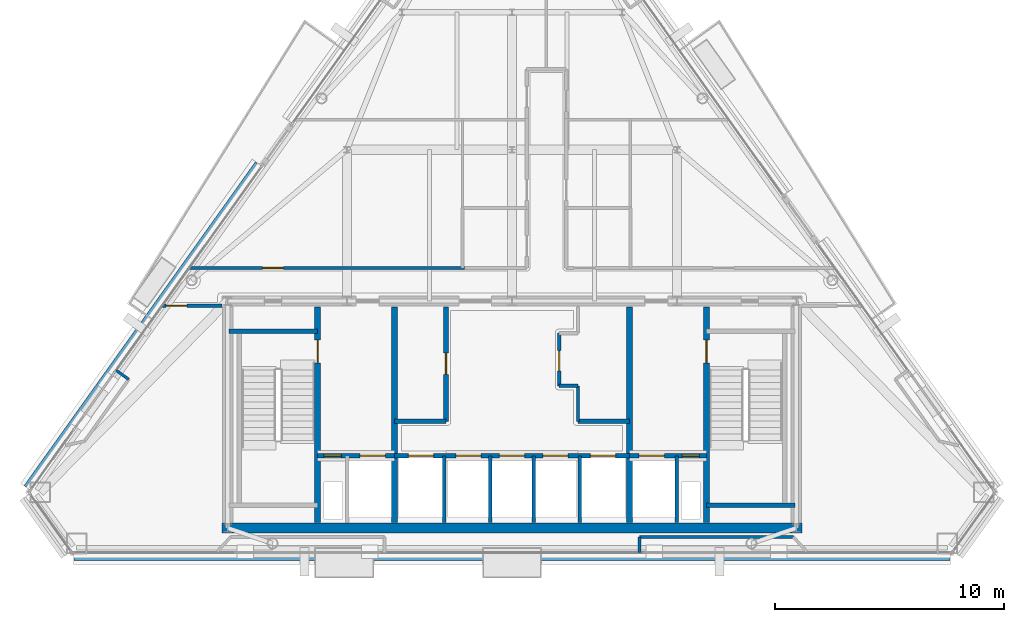
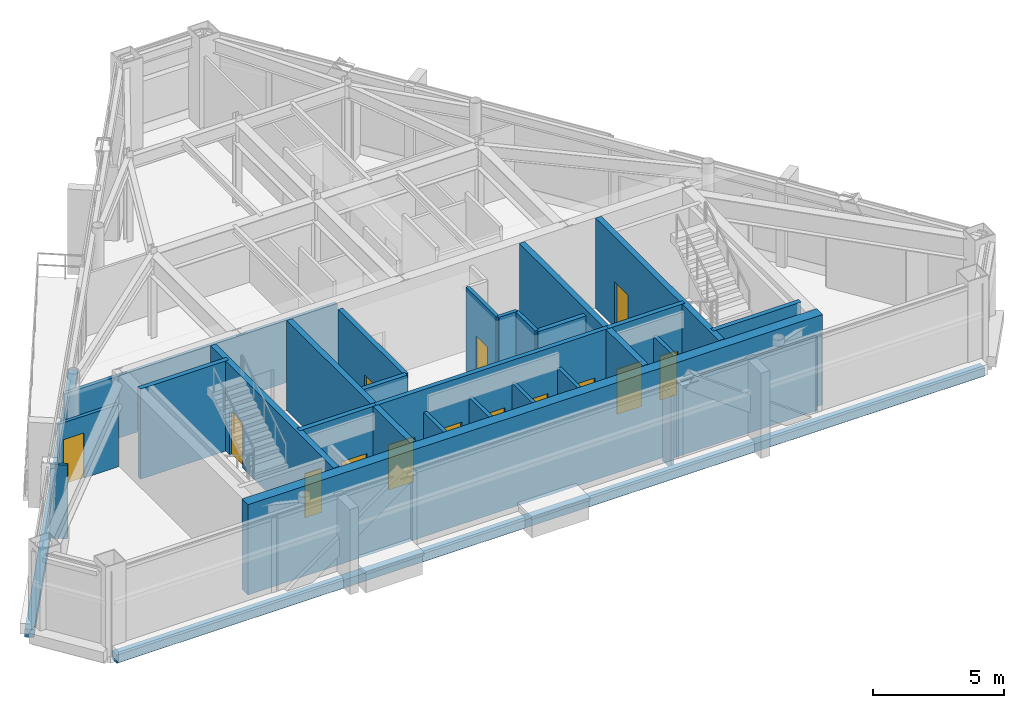
# One storey, part 8 of 12: 28 walls, 15 doors, 15 openings.
"""IFC4 building model written with IfcOpenShell, lengths in metres."""

import ifcopenshell
import ifcopenshell.guid

model = None  # the IFC model being written
_history = None  # IfcOwnerHistory: only IFC2X3 demands one
_inside = {}  # id of a spatial element -> (the spatial element, [elements in it])
_under = {}  # id of a project, library or spatial element -> (it, [spatial elements below it])
_declared = {}  # id of a project -> (the project, [libraries it declares])
_typed = {}  # id of a type object -> (the type object, [elements of that type])
_made_of = {}  # id of a material, layer set ... -> (it, [elements and type objects made of it])


def new_model(schema):
    """Start an empty IFC model of exactly this schema.

    Asked for "IFC4X3", IfcOpenShell would pick the latest addendum, in which some entities
    have other attributes; the version numbers below select the first issue.
    IFC2X3 requires an IfcOwnerHistory on every rooted entity: one is made here for all.
    """
    global model, _history
    if schema == "IFC4X3":
        model = ifcopenshell.file(schema_version=(4, 3, 0, 0))
    else:
        model = ifcopenshell.file(schema=schema)
    _inside.clear()
    _under.clear()
    _declared.clear()
    _typed.clear()
    _made_of.clear()
    _history = None
    if model.schema == "IFC2X3":
        org = make("IfcOrganization", Name="unknown")
        user = make(
            "IfcPersonAndOrganization",
            ThePerson=make("IfcPerson", FamilyName="unknown"),
            TheOrganization=org,
        )
        app = make(
            "IfcApplication",
            ApplicationDeveloper=org,
            Version="unknown",
            ApplicationFullName="unknown",
            ApplicationIdentifier="unknown",
        )
        _history = make(
            "IfcOwnerHistory",
            OwningUser=user,
            OwningApplication=app,
            ChangeAction="ADDED",
            CreationDate=0,
        )
    return model


def make(cls, **values):
    """One entity of the class cls with the attributes given. An attribute that is None is left unset."""
    return model.create_entity(
        cls, **{name: value for name, value in values.items() if value is not None}
    )


def rooted(cls, **values):
    """An entity with a GlobalId (a new one), such as an element, a storey or a relation."""
    return make(cls, GlobalId=ifcopenshell.guid.new(), OwnerHistory=_history, **values)


def si_unit(unit_type, name, prefix=None):
    """IfcSIUnit, for example si_unit("LENGTHUNIT", "METRE", prefix="MILLI")."""
    return make("IfcSIUnit", UnitType=unit_type, Prefix=prefix, Name=name)


def assignment(units):
    """IfcUnitAssignment: the units of a project."""
    return None if units is None else make("IfcUnitAssignment", Units=units)


def point(xyz):
    """IfcCartesianPoint."""
    return None if xyz is None else make("IfcCartesianPoint", Coordinates=xyz)


def direction(xyz):
    """IfcDirection."""
    return None if xyz is None else make("IfcDirection", DirectionRatios=xyz)


def frame(location, z_axis=None, x_axis=None):
    """IfcAxis2Placement3D, a coordinate frame: its origin and axes. An axis left out is left unset."""
    return make(
        "IfcAxis2Placement3D",
        Location=point(location),
        Axis=direction(z_axis),
        RefDirection=direction(x_axis),
    )


def frame_2d(location, x_axis=None):
    """IfcAxis2Placement2D, a coordinate frame in the plane: its origin and x axis."""
    return make(
        "IfcAxis2Placement2D", Location=point(location), RefDirection=direction(x_axis)
    )


def origin():
    """The frame at (0, 0, 0) with its axes left unset."""
    return frame((0.0, 0.0, 0.0))


def place(relative_to, where):
    """IfcLocalPlacement: puts the frame where relative to a parent placement (None: the world)."""
    return make(
        "IfcLocalPlacement", PlacementRelTo=relative_to, RelativePlacement=where
    )


def context(
    kind, dimensions, precision=None, world=None, true_north=None, identifier=None
):
    """IfcGeometricRepresentationContext, for example the 3D "Model" context."""
    return make(
        "IfcGeometricRepresentationContext",
        ContextIdentifier=identifier,
        ContextType=kind,
        CoordinateSpaceDimension=dimensions,
        Precision=precision,
        WorldCoordinateSystem=world,
        TrueNorth=true_north,
    )


def subcontext(parent, identifier, kind, view, scale=None):
    """IfcGeometricRepresentationSubContext, for example "Body" below "Model"."""
    return make(
        "IfcGeometricRepresentationSubContext",
        ContextIdentifier=identifier,
        ContextType=kind,
        ParentContext=parent,
        TargetScale=scale,
        TargetView=view,
    )


def project(units=None, contexts=None):
    """IfcProject with its units and contexts."""
    return rooted(
        "IfcProject",
        Name="project",
        RepresentationContexts=contexts,
        UnitsInContext=assignment(units),
    )


def spatial(cls, under=None, at=None, **own):
    """A site, building, storey or space (cls), placed at a placement, below another one or the project."""
    s = rooted(cls, ObjectPlacement=at, **own)
    if under is not None:
        _under.setdefault(under.id(), (under, []))[1].append(s)
    return s


def profile(cls, at=None, kind="AREA", **sizes):
    """A parametric profile (cls). Its sizes go by their IFC names, for example OverallWidth=200.0."""
    return make(cls, ProfileType=kind, Position=at, **sizes)


def rectangle(**sizes):
    """IfcRectangleProfileDef."""
    return profile("IfcRectangleProfileDef", **sizes)


def extrude(swept, where, along, depth):
    """IfcExtrudedAreaSolid: the profile swept, set in the frame where, extruded along a direction by depth."""
    return make(
        "IfcExtrudedAreaSolid",
        SweptArea=swept,
        Position=where,
        ExtrudedDirection=direction(along),
        Depth=depth,
    )


def shape(context_of_items, identifier, shape_type, items):
    """IfcShapeRepresentation: the items that make up one representation, for example the "Body"."""
    return make(
        "IfcShapeRepresentation",
        ContextOfItems=context_of_items,
        RepresentationIdentifier=identifier,
        RepresentationType=shape_type,
        Items=items,
    )


def material(Name=None, Category=None):
    """IfcMaterial."""
    return make("IfcMaterial", Name=Name, Category=Category)


def layer(
    of_material, thickness, ventilated=None, Name=None, Category=None, Priority=None
):
    """IfcMaterialLayer: one layer of a wall or slab, of a material (None: an air gap)."""
    return make(
        "IfcMaterialLayer",
        Material=of_material,
        LayerThickness=thickness,
        IsVentilated=ventilated,
        Name=Name,
        Category=Category,
        Priority=Priority,
    )


def layer_set(layers, Name=None):
    """IfcMaterialLayerSet."""
    return make("IfcMaterialLayerSet", MaterialLayers=layers, LayerSetName=Name)


def made_of(thing, what):
    """Note that an element or type object is made of a material, layer set ...; save() writes the relation."""
    if what is not None:
        _made_of.setdefault(what.id(), (what, []))[1].append(thing)
    return thing


def type_object(cls, material=None, **own):
    """A type object (cls), such as IfcWallType, which elements share."""
    return made_of(rooted(cls, **own), material)


def element(
    cls,
    number,
    at=None,
    inside=None,
    cuts=None,
    type_object=None,
    material=None,
    context=None,
    identifier="Body",
    shape_type=None,
    held_by="IfcProductDefinitionShape",
    body=None,
    shapes=None,
    **own,
):
    """One element of the class cls, such as IfcWall. Its Tag is "e" and its number.

    at: its placement. inside: the storey or other place that contains it. cuts: it is an
    opening in that element (IfcRelVoidsElement). A single representation is given by context,
    identifier, shape_type and body (its items); several are given by shapes. held_by: the class
    of the entity that holds the representations. save() writes the other relations.
    """
    e = rooted(cls, Tag="e%d" % number, ObjectPlacement=at, **own)
    if body is not None:
        shapes = [shape(context, identifier, shape_type, body)]
    if shapes is not None:
        e.Representation = make(held_by, Representations=shapes)
    if inside is not None:
        _inside.setdefault(inside.id(), (inside, []))[1].append(e)
    if cuts is not None:
        rooted(
            "IfcRelVoidsElement", RelatingBuildingElement=cuts, RelatedOpeningElement=e
        )
    if type_object is not None:
        _typed.setdefault(type_object.id(), (type_object, []))[1].append(e)
    return made_of(e, material)


def fill(opening, filler):
    """IfcRelFillsElement: the door or window that sits in an opening."""
    return rooted(
        "IfcRelFillsElement",
        RelatingOpeningElement=opening,
        RelatedBuildingElement=filler,
    )


def aggregate(whole, parts):
    """IfcRelAggregates: a whole, such as a stair, and the parts it consists of."""
    return rooted("IfcRelAggregates", RelatingObject=whole, RelatedObjects=parts)


def save(model, path):
    """Write the relations noted so far, then the file.

    IfcRelAggregates (storeys below a building ...), IfcRelContainedInSpatialStructure (elements
    in a storey), IfcRelDefinesByType, IfcRelAssociatesMaterial and IfcRelDeclares: one each for
    every whole, place, type object, material and project.
    """
    for whole, parts in _under.values():
        aggregate(whole, parts)
    for where, things in _inside.values():
        rooted(
            "IfcRelContainedInSpatialStructure",
            RelatedElements=things,
            RelatingStructure=where,
        )
    for kind, things in _typed.values():
        rooted("IfcRelDefinesByType", RelatedObjects=things, RelatingType=kind)
    for what, things in _made_of.values():
        rooted("IfcRelAssociatesMaterial", RelatedObjects=things, RelatingMaterial=what)
    for by, libraries in _declared.values():
        rooted("IfcRelDeclares", RelatingContext=by, RelatedDefinitions=libraries)
    model.write(path)


model = new_model("IFC4")

# Units and contexts
model_context = context("Model", 3, precision=1e-05, world=origin(), true_north=direction((0.0, 1.0)))
body_context = subcontext(model_context, "Body", "Model", "MODEL_VIEW")
ifc_project = project(units=[si_unit("LENGTHUNIT", "METRE"), si_unit("AREAUNIT", "SQUARE_METRE"), si_unit("VOLUMEUNIT", "CUBIC_METRE"), si_unit("PLANEANGLEUNIT", "RADIAN"), si_unit("MASSUNIT", "GRAM", prefix="KILO")], contexts=[model_context])

# Site, building, storey
site_placement = place(None, origin())
site = spatial("IfcSite", under=ifc_project, at=site_placement, CompositionType="ELEMENT")
building_placement = place(site_placement, origin())
building = spatial("IfcBuilding", under=site, at=building_placement, Name="Talgorran Terracotta Tower", CompositionType="ELEMENT")
storey_placement = place(building_placement, frame((0.0, 0.0, 285.0)))
storey = spatial("IfcBuildingStorey", under=building, at=storey_placement, Name="L75", CompositionType="ELEMENT", Elevation=285.0)

# Walls
ifc_material_1 = material(Name="Concrete C50/60", Category="concrete")
ifc_layer_1 = layer(ifc_material_1, 0.199951171875, Name="WT_CORE_200")
ifc_layer_set_1 = layer_set([ifc_layer_1], Name="Concrete C50/60")
wall_type_1 = type_object("IfcWallType", Name="WT_CORE_200", PredefinedType="SOLIDWALL", material=ifc_layer_set_1)
for number, where, z_axis, x_axis, name in (
    (1, (-12.35009765625, -5.52001953125, 0.0), (0.0, 0.0, 1.0), (1.0, 0.0, 0.0), "WL-L75-CW-ST1-N"),
    (2, (8.47998046875, -13.10009765625, 0.0), (0.0, 0.0, 1.0), (1.0, 0.0, 0.0), "WL-L75-CW-ST2-S"),
):
    element("IfcWall", number, at=place(storey_placement, frame(where, z_axis=z_axis, x_axis=x_axis)), inside=storey, type_object=wall_type_1, Name=name, PredefinedType="SOLIDWALL", context=body_context, shape_type="SweptSolid", body=[
        extrude(rectangle(XDim=3.8701171875, YDim=0.199951171875, at=frame_2d((1.93505859375, 0.0))), origin(), (0.0, 0.0, 1.0), 4.199951171875),
    ])

# Wall, openings, doors
wall_1_placement = place(storey_placement, frame((-8.47998046875, -10.949951171875, 0.0), z_axis=(0.0, 0.0, 1.0), x_axis=(1.0, 0.0, 0.0)))
wall_1 = element("IfcWall", 3, at=wall_1_placement, inside=storey, type_object=wall_type_1, Name="WL-L75-CW-H-SBW", PredefinedType="SOLIDWALL", context=body_context, shape_type="SweptSolid", body=[
    extrude(rectangle(XDim=3.35986328125, YDim=0.199951171875, at=frame_2d((1.679931640625, 0.0))), origin(), (0.0, 0.0, 1.0), 4.199951171875),
])
opening_1_placement = place(wall_1_placement, frame((0.280029296875, 0.0, 0.0)))
opening_1 = element("IfcOpeningElement", 4, at=opening_1_placement, cuts=wall_1, Name="Opening DR-RSW", PredefinedType="OPENING", context=body_context, shape_type="SweptSolid", body=[
    extrude(rectangle(XDim=0.756, YDim=2.054048828125, at=frame_2d((0.375, 1.027099609375))), frame((0.0, 0.10986328125, 0.0), z_axis=(0.0, -1.0, 0.0), x_axis=(1.0, 0.0, 0.0)), (0.0, 0.0, 1.0), 0.219970703125),
])
opening_2_placement = place(wall_1_placement, frame((1.85009765625, 0.0, 0.0)))
opening_2 = element("IfcOpeningElement", 5, at=opening_2_placement, cuts=wall_1, Name="Opening LD-FFL1", PredefinedType="OPENING", context=body_context, shape_type="SweptSolid", body=[
    extrude(rectangle(XDim=1.10609765625, YDim=2.10409765625, at=frame_2d((0.550048828125, 1.052001953125))), frame((0.0, 0.10986328125, 0.0), z_axis=(0.0, -1.0, 0.0), x_axis=(1.0, 0.0, 0.0)), (0.0, 0.0, 1.0), 0.219970703125),
])
ifc_material_2 = material(Name="Brushed Stainless Steel Grade 304", Category="steel")
door_type_1 = type_object("IfcDoorType", Name="DT_LIFT_LD1100", OperationType="DOUBLE_DOOR_SLIDING", PredefinedType="DOOR", material=ifc_material_2)
door_1_placement = place(opening_2_placement, origin())
door_1 = element("IfcDoor", 6, at=door_1_placement, inside=storey, type_object=door_type_1, Name="L75 Lift Landing Door LD-FFL1", OperationType="DOUBLE_DOOR_SLIDING", OverallHeight=2.10009765625, OverallWidth=1.10009765625, PredefinedType="DOOR", context=body_context, shape_type="SweptSolid", body=[
    extrude(rectangle(XDim=1.10009765625, YDim=2.10009765625, at=frame_2d((0.550048828125, 1.050048828125))), frame((0.0, 0.02490234375, 0.0), z_axis=(0.0, -1.0, 0.0), x_axis=(1.0, 0.0, 0.0)), (0.0, 0.0, 1.0), 0.050048828125),
])
fill(opening_2, door_1)
ifc_material_3 = material(Name="Fire-Rated Pressed Steel", Category="steel")
door_type_2 = type_object("IfcDoorType", Name="DT_RISER_750", OperationType="NOTDEFINED", PredefinedType="DOOR", material=ifc_material_3)
door_2_placement = place(opening_1_placement, origin())
door_2 = element("IfcDoor", 7, at=door_2_placement, inside=storey, type_object=door_type_2, Name="DR-RSW", OperationType="SINGLE_SWING_LEFT", OverallHeight=2.050048828125, OverallWidth=0.75, PredefinedType="DOOR", context=body_context, shape_type="SweptSolid", body=[
    extrude(rectangle(XDim=0.75, YDim=2.050048828125, at=frame_2d((0.375, 1.02490234375))), frame((0.0, 0.02490234375, 0.0), z_axis=(0.0, -1.0, 0.0), x_axis=(1.0, 0.0, 0.0)), (0.0, 0.0, 1.0), 0.050048828125),
])
fill(opening_1, door_2)

wall_2_placement = place(storey_placement, frame((-5.1201171875, -10.949951171875, 0.0), z_axis=(0.0, 0.0, 1.0), x_axis=(1.0, 0.0, 0.0)))
wall_2 = element("IfcWall", 8, at=wall_2_placement, inside=storey, type_object=wall_type_1, Name="WL-L75-CW-H-SBC", PredefinedType="SOLIDWALL", context=body_context, shape_type="SweptSolid", body=[
    extrude(rectangle(XDim=10.240234375, YDim=0.199951171875, at=frame_2d((5.1201171875, 0.0))), origin(), (0.0, 0.0, 1.0), 4.199951171875),
])
opening_3_placement = place(wall_2_placement, frame((0.60009765625, 0.0, 0.0)))
opening_3 = element("IfcOpeningElement", 9, at=opening_3_placement, cuts=wall_2, Name="Opening LD-OB1", PredefinedType="OPENING", context=body_context, shape_type="SweptSolid", body=[
    extrude(rectangle(XDim=1.10609765625, YDim=2.10409765625, at=frame_2d((0.550048828125, 1.052001953125))), frame((0.0, 0.10986328125, 0.0), z_axis=(0.0, -1.0, 0.0), x_axis=(1.0, 0.0, 0.0)), (0.0, 0.0, 1.0), 0.219970703125),
])
opening_4_placement = place(wall_2_placement, frame((2.669921875, 0.0, 0.0)))
opening_4 = element("IfcOpeningElement", 10, at=opening_4_placement, cuts=wall_2, Name="Opening LD-PLH1", PredefinedType="OPENING", context=body_context, shape_type="SweptSolid", body=[
    extrude(rectangle(XDim=1.10609765625, YDim=2.10409765625, at=frame_2d((0.550048828125, 1.052001953125))), frame((0.0, 0.10986328125, 0.0), z_axis=(0.0, -1.0, 0.0), x_axis=(1.0, 0.0, 0.0)), (0.0, 0.0, 1.0), 0.219970703125),
])
opening_5_placement = place(wall_2_placement, frame((4.570068359375, 0.0, 0.0)))
opening_5 = element("IfcOpeningElement", 11, at=opening_5_placement, cuts=wall_2, Name="Opening LD-PLH2", PredefinedType="OPENING", context=body_context, shape_type="SweptSolid", body=[
    extrude(rectangle(XDim=1.10609765625, YDim=2.10409765625, at=frame_2d((0.550048828125, 1.052001953125))), frame((0.0, 0.10986328125, 0.0), z_axis=(0.0, -1.0, 0.0), x_axis=(1.0, 0.0, 0.0)), (0.0, 0.0, 1.0), 0.219970703125),
])
opening_6_placement = place(wall_2_placement, frame((6.469970703125, 0.0, 0.0)))
opening_6 = element("IfcOpeningElement", 12, at=opening_6_placement, cuts=wall_2, Name="Opening LD-PLH3", PredefinedType="OPENING", context=body_context, shape_type="SweptSolid", body=[
    extrude(rectangle(XDim=1.10609765625, YDim=2.10409765625, at=frame_2d((0.550048828125, 1.052001953125))), frame((0.0, 0.10986328125, 0.0), z_axis=(0.0, -1.0, 0.0), x_axis=(1.0, 0.0, 0.0)), (0.0, 0.0, 1.0), 0.219970703125),
])
opening_7_placement = place(wall_2_placement, frame((8.5400390625, 0.0, 0.0)))
opening_7 = element("IfcOpeningElement", 13, at=opening_7_placement, cuts=wall_2, Name="Opening LD-SVL1", PredefinedType="OPENING", context=body_context, shape_type="SweptSolid", body=[
    extrude(rectangle(XDim=1.10609765625, YDim=2.10409765625, at=frame_2d((0.550048828125, 1.052001953125))), frame((0.0, 0.10986328125, 0.0), z_axis=(0.0, -1.0, 0.0), x_axis=(1.0, 0.0, 0.0)), (0.0, 0.0, 1.0), 0.219970703125),
])
door_3_placement = place(opening_3_placement, origin())
door_3 = element("IfcDoor", 14, at=door_3_placement, inside=storey, type_object=door_type_1, Name="L75 Lift Landing Door LD-OB1", OperationType="DOUBLE_DOOR_SLIDING", OverallHeight=2.10009765625, OverallWidth=1.10009765625, PredefinedType="DOOR", context=body_context, shape_type="SweptSolid", body=[
    extrude(rectangle(XDim=1.10009765625, YDim=2.10009765625, at=frame_2d((0.550048828125, 1.050048828125))), frame((0.0, 0.02490234375, 0.0), z_axis=(0.0, -1.0, 0.0), x_axis=(1.0, 0.0, 0.0)), (0.0, 0.0, 1.0), 0.050048828125),
])
fill(opening_3, door_3)
door_4_placement = place(opening_4_placement, origin())
door_4 = element("IfcDoor", 15, at=door_4_placement, inside=storey, type_object=door_type_1, Name="L75 Lift Landing Door LD-PLH1", OperationType="DOUBLE_DOOR_SLIDING", OverallHeight=2.10009765625, OverallWidth=1.10009765625, PredefinedType="DOOR", context=body_context, shape_type="SweptSolid", body=[
    extrude(rectangle(XDim=1.10009765625, YDim=2.10009765625, at=frame_2d((0.550048828125, 1.050048828125))), frame((0.0, 0.02490234375, 0.0), z_axis=(0.0, -1.0, 0.0), x_axis=(1.0, 0.0, 0.0)), (0.0, 0.0, 1.0), 0.050048828125),
])
fill(opening_4, door_4)
door_5_placement = place(opening_5_placement, origin())
door_5 = element("IfcDoor", 16, at=door_5_placement, inside=storey, type_object=door_type_1, Name="L75 Lift Landing Door LD-PLH2", OperationType="DOUBLE_DOOR_SLIDING", OverallHeight=2.10009765625, OverallWidth=1.10009765625, PredefinedType="DOOR", context=body_context, shape_type="SweptSolid", body=[
    extrude(rectangle(XDim=1.10009765625, YDim=2.10009765625, at=frame_2d((0.550048828125, 1.050048828125))), frame((0.0, 0.02490234375, 0.0), z_axis=(0.0, -1.0, 0.0), x_axis=(1.0, 0.0, 0.0)), (0.0, 0.0, 1.0), 0.050048828125),
])
fill(opening_5, door_5)
door_6_placement = place(opening_6_placement, origin())
door_6 = element("IfcDoor", 17, at=door_6_placement, inside=storey, type_object=door_type_1, Name="L75 Lift Landing Door LD-PLH3", OperationType="DOUBLE_DOOR_SLIDING", OverallHeight=2.10009765625, OverallWidth=1.10009765625, PredefinedType="DOOR", context=body_context, shape_type="SweptSolid", body=[
    extrude(rectangle(XDim=1.10009765625, YDim=2.10009765625, at=frame_2d((0.550048828125, 1.050048828125))), frame((0.0, 0.02490234375, 0.0), z_axis=(0.0, -1.0, 0.0), x_axis=(1.0, 0.0, 0.0)), (0.0, 0.0, 1.0), 0.050048828125),
])
fill(opening_6, door_6)
door_7_placement = place(opening_7_placement, origin())
door_7 = element("IfcDoor", 18, at=door_7_placement, inside=storey, type_object=door_type_1, Name="L75 Lift Landing Door LD-SVL1", OperationType="DOUBLE_DOOR_SLIDING", OverallHeight=2.10009765625, OverallWidth=1.10009765625, PredefinedType="DOOR", context=body_context, shape_type="SweptSolid", body=[
    extrude(rectangle(XDim=1.10009765625, YDim=2.10009765625, at=frame_2d((0.550048828125, 1.050048828125))), frame((0.0, 0.02490234375, 0.0), z_axis=(0.0, -1.0, 0.0), x_axis=(1.0, 0.0, 0.0)), (0.0, 0.0, 1.0), 0.050048828125),
])
fill(opening_7, door_7)

wall_3_placement = place(storey_placement, frame((5.1201171875, -10.949951171875, 0.0), z_axis=(0.0, 0.0, 1.0), x_axis=(1.0, 0.0, 0.0)))
wall_3 = element("IfcWall", 19, at=wall_3_placement, inside=storey, type_object=wall_type_1, Name="WL-L75-CW-H-SBE", PredefinedType="SOLIDWALL", context=body_context, shape_type="SweptSolid", body=[
    extrude(rectangle(XDim=3.35986328125, YDim=0.199951171875, at=frame_2d((1.679931640625, 0.0))), origin(), (0.0, 0.0, 1.0), 4.199951171875),
])
opening_8_placement = place(wall_3_placement, frame((0.419921875, 0.0, 0.0)))
opening_8 = element("IfcOpeningElement", 20, at=opening_8_placement, cuts=wall_3, Name="Opening LD-FFL2", PredefinedType="OPENING", context=body_context, shape_type="SweptSolid", body=[
    extrude(rectangle(XDim=1.10609765625, YDim=2.10409765625, at=frame_2d((0.550048828125, 1.052001953125))), frame((0.0, 0.10986328125, 0.0), z_axis=(0.0, -1.0, 0.0), x_axis=(1.0, 0.0, 0.0)), (0.0, 0.0, 1.0), 0.219970703125),
])
opening_9_placement = place(wall_3_placement, frame((2.300048828125, 0.0, 0.0)))
opening_9 = element("IfcOpeningElement", 21, at=opening_9_placement, cuts=wall_3, Name="Opening DR-RSE", PredefinedType="OPENING", context=body_context, shape_type="SweptSolid", body=[
    extrude(rectangle(XDim=0.756, YDim=2.054048828125, at=frame_2d((0.375, 1.027099609375))), frame((0.0, 0.10986328125, 0.0), z_axis=(0.0, -1.0, 0.0), x_axis=(1.0, 0.0, 0.0)), (0.0, 0.0, 1.0), 0.219970703125),
])
door_8_placement = place(opening_8_placement, origin())
door_8 = element("IfcDoor", 22, at=door_8_placement, inside=storey, type_object=door_type_1, Name="L75 Lift Landing Door LD-FFL2", OperationType="DOUBLE_DOOR_SLIDING", OverallHeight=2.10009765625, OverallWidth=1.10009765625, PredefinedType="DOOR", context=body_context, shape_type="SweptSolid", body=[
    extrude(rectangle(XDim=1.10009765625, YDim=2.10009765625, at=frame_2d((0.550048828125, 1.050048828125))), frame((0.0, 0.02490234375, 0.0), z_axis=(0.0, -1.0, 0.0), x_axis=(1.0, 0.0, 0.0)), (0.0, 0.0, 1.0), 0.050048828125),
])
fill(opening_8, door_8)
door_9_placement = place(opening_9_placement, origin())
door_9 = element("IfcDoor", 23, at=door_9_placement, inside=storey, type_object=door_type_2, Name="DR-RSE", OperationType="SINGLE_SWING_RIGHT", OverallHeight=2.050048828125, OverallWidth=0.75, PredefinedType="DOOR", context=body_context, shape_type="SweptSolid", body=[
    extrude(rectangle(XDim=0.75, YDim=2.050048828125, at=frame_2d((0.375, 1.02490234375))), frame((0.0, 0.02490234375, 0.0), z_axis=(0.0, -1.0, 0.0), x_axis=(1.0, 0.0, 0.0)), (0.0, 0.0, 1.0), 0.050048828125),
])
fill(opening_9, door_9)

# Wall, opening, door
wall_4_placement = place(storey_placement, frame((-2.8798828125, -9.449951171875, 0.0), z_axis=(0.0, 0.0, 1.0), x_axis=(0.0, 1.0, 0.0)))
wall_4 = element("IfcWall", 24, at=wall_4_placement, inside=storey, type_object=wall_type_1, Name="WL-L75-CW-V-W3", PredefinedType="SOLIDWALL", context=body_context, shape_type="SweptSolid", body=[
    extrude(rectangle(XDim=5.0, YDim=0.199951171875, at=frame_2d((2.5, 0.0))), origin(), (0.0, 0.0, 1.0), 3.919921875),
])
opening_10_placement = place(wall_4_placement, frame((2.050048828125, 0.0, 0.0)))
opening_10 = element("IfcOpeningElement", 25, at=opening_10_placement, cuts=wall_4, Name="Opening DR-FRPLL-A", PredefinedType="OPENING", context=body_context, shape_type="SweptSolid", body=[
    extrude(rectangle(XDim=0.925921875, YDim=2.10409765625, at=frame_2d((0.4599609375, 1.052001953125))), frame((0.0, 0.10986328125, 0.0), z_axis=(0.0, -1.0, 0.0), x_axis=(1.0, 0.0, 0.0)), (0.0, 0.0, 1.0), 0.219970703125),
])
ifc_material_4 = material(Name="Solid-Core Painted Timber", Category="wood")
door_type_3 = type_object("IfcDoorType", Name="DT_INT_920", OperationType="NOTDEFINED", PredefinedType="DOOR", material=ifc_material_4)
door_10_placement = place(opening_10_placement, origin())
door_10 = element("IfcDoor", 26, at=door_10_placement, inside=storey, type_object=door_type_3, Name="DR-FRPLL-A", OperationType="SINGLE_SWING_LEFT", OverallHeight=2.10009765625, OverallWidth=0.919921875, PredefinedType="DOOR", context=body_context, shape_type="SweptSolid", body=[
    extrude(rectangle(XDim=0.919921875, YDim=2.10009765625, at=frame_2d((0.4599609375, 1.050048828125))), frame((0.0, 0.02490234375, 0.0), z_axis=(0.0, -1.0, 0.0), x_axis=(1.0, 0.0, 0.0)), (0.0, 0.0, 1.0), 0.050048828125),
])
fill(opening_10, door_10)

# Walls
for number, where, z_axis, x_axis, name in (
    (27, (-5.1201171875, -9.449951171875, 0.0), (0.0, 0.0, 1.0), (1.0, 0.0, 0.0), "WL-L75-CW-H-W4"),
    (28, (2.8798828125, -9.449951171875, 0.0), (0.0, 0.0, 1.0), (1.0, 0.0, 0.0), "WL-L75-CW-H-E4"),
):
    element("IfcWall", number, at=place(storey_placement, frame(where, z_axis=z_axis, x_axis=x_axis)), inside=storey, type_object=wall_type_1, Name=name, PredefinedType="SOLIDWALL", context=body_context, shape_type="SweptSolid", body=[
        extrude(rectangle(XDim=2.240234375, YDim=0.199951171875, at=frame_2d((1.1201171875, 0.0))), origin(), (0.0, 0.0, 1.0), 3.919921875),
    ])

# Wall, opening, door
ifc_layer_2 = layer(ifc_material_1, 0.25, Name="WT_CORE_250")
ifc_layer_set_2 = layer_set([ifc_layer_2], Name="Concrete C50/60")
wall_type_2 = type_object("IfcWallType", Name="WT_CORE_250", PredefinedType="SHEAR", material=ifc_layer_set_2)
wall_5_placement = place(storey_placement, frame((-8.47998046875, -13.85009765625, 0.0), z_axis=(0.0, 0.0, 1.0), x_axis=(0.0, 1.0, 0.0)))
wall_5 = element("IfcWall", 29, at=wall_5_placement, inside=storey, type_object=wall_type_2, Name="WL-L75-CW-V-W1", PredefinedType="SHEAR", context=body_context, shape_type="SweptSolid", body=[
    extrude(rectangle(XDim=9.400146484375, YDim=0.25, at=frame_2d((4.7001953125, 0.0))), origin(), (0.0, 0.0, 1.0), 4.199951171875),
])
opening_11_placement = place(wall_5_placement, frame((6.949951171875, 0.0, 0.0)))
opening_11 = element("IfcOpeningElement", 30, at=opening_11_placement, cuts=wall_5, Name="Opening DR-ST01", PredefinedType="OPENING", context=body_context, shape_type="SweptSolid", body=[
    extrude(rectangle(XDim=1.006, YDim=2.10409765625, at=frame_2d((0.5, 1.052001953125))), frame((0.0, 0.135009765625, 0.0), z_axis=(0.0, -1.0, 0.0), x_axis=(1.0, 0.0, 0.0)), (0.0, 0.0, 1.0), 0.27001953125),
])
door_type_4 = type_object("IfcDoorType", Name="DT_FIRE_1000", OperationType="NOTDEFINED", PredefinedType="DOOR", material=ifc_material_3)
door_11_placement = place(opening_11_placement, origin())
door_11 = element("IfcDoor", 31, at=door_11_placement, inside=storey, type_object=door_type_4, Name="DR-ST01", OperationType="SINGLE_SWING_LEFT", OverallHeight=2.10009765625, OverallWidth=1.0, PredefinedType="DOOR", context=body_context, shape_type="SweptSolid", body=[
    extrude(rectangle(XDim=1.0, YDim=2.10009765625, at=frame_2d((0.5, 1.050048828125))), frame((0.0, 0.02490234375, 0.0), z_axis=(0.0, -1.0, 0.0), x_axis=(1.0, 0.0, 0.0)), (0.0, 0.0, 1.0), 0.050048828125),
])
fill(opening_11, door_11)

wall_6_placement = place(storey_placement, frame((8.47998046875, -13.85009765625, 0.0), z_axis=(0.0, 0.0, 1.0), x_axis=(0.0, 1.0, 0.0)))
wall_6 = element("IfcWall", 32, at=wall_6_placement, inside=storey, type_object=wall_type_2, Name="WL-L75-CW-V-E1", PredefinedType="SHEAR", context=body_context, shape_type="SweptSolid", body=[
    extrude(rectangle(XDim=9.400146484375, YDim=0.25, at=frame_2d((4.7001953125, 0.0))), origin(), (0.0, 0.0, 1.0), 4.199951171875),
])
opening_12_placement = place(wall_6_placement, frame((6.949951171875, 0.0, 0.0)))
opening_12 = element("IfcOpeningElement", 33, at=opening_12_placement, cuts=wall_6, Name="Opening DR-ST02", PredefinedType="OPENING", context=body_context, shape_type="SweptSolid", body=[
    extrude(rectangle(XDim=1.006, YDim=2.10409765625, at=frame_2d((0.5, 1.052001953125))), frame((0.0, 0.135009765625, 0.0), z_axis=(0.0, -1.0, 0.0), x_axis=(1.0, 0.0, 0.0)), (0.0, 0.0, 1.0), 0.27001953125),
])
door_12_placement = place(opening_12_placement, origin())
door_12 = element("IfcDoor", 34, at=door_12_placement, inside=storey, type_object=door_type_4, Name="DR-ST02", OperationType="SINGLE_SWING_RIGHT", OverallHeight=2.10009765625, OverallWidth=1.0, PredefinedType="DOOR", context=body_context, shape_type="SweptSolid", body=[
    extrude(rectangle(XDim=1.0, YDim=2.10009765625, at=frame_2d((0.5, 1.050048828125))), frame((0.0, 0.02490234375, 0.0), z_axis=(0.0, -1.0, 0.0), x_axis=(1.0, 0.0, 0.0)), (0.0, 0.0, 1.0), 0.050048828125),
])
fill(opening_12, door_12)

# Walls
for number, where, z_axis, x_axis, name in (
    (35, (-5.1201171875, -13.85009765625, 0.0), (0.0, 0.0, 1.0), (0.0, 1.0, 0.0), "WL-L75-CW-V-W2"),
    (36, (5.1201171875, -13.85009765625, 0.0), (0.0, 0.0, 1.0), (0.0, 1.0, 0.0), "WL-L75-CW-V-E2"),
):
    element("IfcWall", number, at=place(storey_placement, frame(where, z_axis=z_axis, x_axis=x_axis)), inside=storey, type_object=wall_type_2, Name=name, PredefinedType="SHEAR", context=body_context, shape_type="SweptSolid", body=[
        extrude(rectangle(XDim=9.400146484375, YDim=0.25, at=frame_2d((4.7001953125, 0.0))), origin(), (0.0, 0.0, 1.0), 4.199951171875),
    ])
ifc_material_5 = material(Name="Concrete C65/80", Category="concrete")
ifc_layer_3 = layer(ifc_material_5, 0.449951171875, Name="WT_CORE_EXT")
ifc_layer_set_3 = layer_set([ifc_layer_3], Name="Concrete C65/80")
wall_type_3 = type_object("IfcWallType", Name="WT_CORE_EXT", PredefinedType="SHEAR", material=ifc_layer_set_3)
wall_7_placement = place(storey_placement, frame((-12.64990234375, -14.10009765625, 0.0), z_axis=(0.0, 0.0, 1.0), x_axis=(1.0, 0.0, 0.0)))
element("IfcWall", 37, at=wall_7_placement, inside=storey, type_object=wall_type_3, Name="WL-L75-CW-OUT-S", PredefinedType="SHEAR", context=body_context, shape_type="SweptSolid", body=[
    extrude(rectangle(XDim=25.2998046875, YDim=0.449951171875, at=frame_2d((12.64990234375, 0.0))), origin(), (0.0, 0.0, 1.0), 4.199951171875),
])
ifc_material_6 = material(Name="Fire-Rated Steel Stud Plasterboard", Category="steel")
ifc_layer_4 = layer(ifc_material_6, 0.14990234375, Name="WT_FIRE_150")
ifc_layer_set_4 = layer_set([ifc_layer_4], Name="Fire-Rated Steel Stud Plasterboard")
wall_type_4 = type_object("IfcWallType", Name="WT_FIRE_150", PredefinedType="PARTITIONING", material=ifc_layer_set_4)
wall_8_placement = place(storey_placement, frame((2.8798828125, -9.449951171875, 0.0), z_axis=(0.0, 0.0, 1.0), x_axis=(0.0, 1.0, 0.0)))
element("IfcWall", 38, at=wall_8_placement, inside=storey, type_object=wall_type_4, Name="WL-L75-CW-V-E3A", PredefinedType="PARTITIONING", context=body_context, shape_type="SweptSolid", body=[
    extrude(rectangle(XDim=1.550048828125, YDim=0.14990234375, at=frame_2d((0.77490234375, 0.0))), origin(), (0.0, 0.0, 1.0), 3.919921875),
])
wall_9_placement = place(storey_placement, frame((2.06005859375, -7.89990234375, 0.0), z_axis=(0.0, 0.0, 1.0), x_axis=(1.0, 0.0, 0.0)))
element("IfcWall", 39, at=wall_9_placement, inside=storey, type_object=wall_type_4, Name="WL-L75-CW-H-E3B", PredefinedType="PARTITIONING", context=body_context, shape_type="SweptSolid", body=[
    extrude(rectangle(XDim=0.81982421875, YDim=0.14990234375, at=frame_2d((0.409912109375, 0.0))), origin(), (0.0, 0.0, 1.0), 3.919921875),
])

# Wall, opening, door
wall_10_placement = place(storey_placement, frame((2.06005859375, -7.89990234375, 0.0), z_axis=(0.0, 0.0, 1.0), x_axis=(0.0, 1.0, 0.0)))
wall_10 = element("IfcWall", 40, at=wall_10_placement, inside=storey, type_object=wall_type_4, Name="WL-L75-CW-V-E3C", PredefinedType="PARTITIONING", context=body_context, shape_type="SweptSolid", body=[
    extrude(rectangle(XDim=2.2998046875, YDim=0.14990234375, at=frame_2d((1.14990234375, 0.0))), origin(), (0.0, 0.0, 1.0), 3.919921875),
])
opening_13_placement = place(wall_10_placement, frame((0.64990234375, 0.0, 0.0)))
opening_13 = element("IfcOpeningElement", 41, at=opening_13_placement, cuts=wall_10, Name="Opening DR-FRPLM-B", PredefinedType="OPENING", context=body_context, shape_type="SweptSolid", body=[
    extrude(rectangle(XDim=0.8858828125, YDim=2.10409765625, at=frame_2d((0.43994140625, 1.052001953125))), frame((0.0, 0.0849609375, 0.0), z_axis=(0.0, -1.0, 0.0), x_axis=(1.0, 0.0, 0.0)), (0.0, 0.0, 1.0), 0.169921875),
])
door_type_5 = type_object("IfcDoorType", Name="DT_INT_880", OperationType="NOTDEFINED", PredefinedType="DOOR", material=ifc_material_4)
door_13_placement = place(opening_13_placement, origin())
door_13 = element("IfcDoor", 42, at=door_13_placement, inside=storey, type_object=door_type_5, Name="DR-FRPLM-B", OperationType="SINGLE_SWING_RIGHT", OverallHeight=2.10009765625, OverallWidth=0.8798828125, PredefinedType="DOOR", context=body_context, shape_type="SweptSolid", body=[
    extrude(rectangle(XDim=0.8798828125, YDim=2.10009765625, at=frame_2d((0.43994140625, 1.050048828125))), frame((0.0, 0.02490234375, 0.0), z_axis=(0.0, -1.0, 0.0), x_axis=(1.0, 0.0, 0.0)), (0.0, 0.0, 1.0), 0.050048828125),
])
fill(opening_13, door_13)

wall_11_placement = place(storey_placement, frame((-14.082275390625, -2.760009765625, 0.0), z_axis=(0.0, 0.0, 1.0), x_axis=(1.0, 0.0, 0.0)))
wall_11 = element("IfcWall", 43, at=wall_11_placement, inside=storey, type_object=wall_type_4, Name="WL-L75-W-L75-R07", PredefinedType="PARTITIONING", context=body_context, shape_type="SweptSolid", body=[
    extrude(rectangle(XDim=12.002197265625, YDim=0.14990234375, at=frame_2d((6.0009765625, 0.0))), origin(), (0.0, 0.0, 1.0), 2.89501953125),
])
opening_14_placement = place(wall_11_placement, frame((3.209228515625, 0.0, 0.0)))
opening_14 = element("IfcOpeningElement", 44, at=opening_14_placement, cuts=wall_11, Name="Opening DR-L75-R05", PredefinedType="OPENING", context=body_context, shape_type="SweptSolid", body=[
    extrude(rectangle(XDim=0.90590234375, YDim=2.10409765625, at=frame_2d((0.449951171875, 1.052001953125))), frame((0.0, 0.0849609375, 0.0), z_axis=(0.0, -1.0, 0.0), x_axis=(1.0, 0.0, 0.0)), (0.0, 0.0, 1.0), 0.169921875),
])
ifc_material_7 = material(Name="Fire-Rated Timber Core", Category="wood")
door_type_6 = type_object("IfcDoorType", Name="DT_FIRE_900", OperationType="NOTDEFINED", PredefinedType="DOOR", material=ifc_material_7)
door_14_placement = place(opening_14_placement, origin())
door_14 = element("IfcDoor", 45, at=door_14_placement, inside=storey, type_object=door_type_6, Name="DR-L75-R05", OperationType="SINGLE_SWING_LEFT", OverallHeight=2.10009765625, OverallWidth=0.89990234375, PredefinedType="DOOR", context=body_context, shape_type="SweptSolid", body=[
    extrude(rectangle(XDim=0.89990234375, YDim=2.10009765625, at=frame_2d((0.449951171875, 1.050048828125))), frame((0.0, 0.02490234375, 0.0), z_axis=(0.0, -1.0, 0.0), x_axis=(1.0, 0.0, 0.0)), (0.0, 0.0, 1.0), 0.050048828125),
])
fill(opening_14, door_14)

wall_12_placement = place(storey_placement, frame((-15.25390625, -4.39990234375, 0.0), z_axis=(0.0, 0.0, 1.0), x_axis=(1.0, 0.0, 0.0)))
wall_12 = element("IfcWall", 46, at=wall_12_placement, inside=storey, type_object=wall_type_4, Name="WL-L75-W-L75-R01", PredefinedType="PARTITIONING", context=body_context, shape_type="SweptSolid", body=[
    extrude(rectangle(XDim=2.601806640625, YDim=0.14990234375, at=frame_2d((1.30078125, 0.0))), origin(), (0.0, 0.0, 1.0), 2.89501953125),
])
opening_15_placement = place(wall_12_placement, frame((0.173828125, 0.0, 0.0)))
opening_15 = element("IfcOpeningElement", 47, at=opening_15_placement, cuts=wall_12, Name="Opening DR-L75-R01", PredefinedType="OPENING", context=body_context, shape_type="SweptSolid", body=[
    extrude(rectangle(XDim=0.90590234375, YDim=2.10409765625, at=frame_2d((0.449951171875, 1.052001953125))), frame((0.0, 0.0849609375, 0.0), z_axis=(0.0, -1.0, 0.0), x_axis=(1.0, 0.0, 0.0)), (0.0, 0.0, 1.0), 0.169921875),
])
door_15_placement = place(opening_15_placement, origin())
door_15 = element("IfcDoor", 48, at=door_15_placement, inside=storey, type_object=door_type_6, Name="DR-L75-R01", OperationType="SINGLE_SWING_LEFT", OverallHeight=2.10009765625, OverallWidth=0.89990234375, PredefinedType="DOOR", context=body_context, shape_type="SweptSolid", body=[
    extrude(rectangle(XDim=0.89990234375, YDim=2.10009765625, at=frame_2d((0.449951171875, 1.050048828125))), frame((0.0, 0.02490234375, 0.0), z_axis=(0.0, -1.0, 0.0), x_axis=(1.0, 0.0, 0.0)), (0.0, 0.0, 1.0), 0.050048828125),
])
fill(opening_15, door_15)

# Walls
ifc_material_8 = material(Name="Concrete C40/50", Category="concrete")
ifc_layer_5 = layer(ifc_material_8, 0.219970703125, Name="WT_PARAPET_RC")
ifc_layer_set_5 = layer_set([ifc_layer_5], Name="Concrete C40/50")
wall_type_5 = type_object("IfcWallType", Name="WT_PARAPET_RC", PredefinedType="PARAPET", material=ifc_layer_set_5)
wall_13_placement = place(storey_placement, frame((-19.110595703125, -15.33447265625, -0.199951171875), z_axis=(0.0, 0.0, 1.0), x_axis=(1.0, 0.0, 0.0)))
element("IfcWall", 49, at=wall_13_placement, inside=storey, type_object=wall_type_5, Name="L75 Striped Portal Precast Cornice F1", PredefinedType="PARAPET", context=body_context, shape_type="SweptSolid", body=[
    extrude(rectangle(XDim=38.22119140625, YDim=0.360107421875, at=frame_2d((19.110595703125, 0.0))), origin(), (0.0, 0.0, 1.0), 0.3798828125),
])
wall_14_placement = place(storey_placement, frame((-11.0498046875, 1.7607421875, -0.199951171875), z_axis=(0.0, 0.0, 1.0), x_axis=(-0.581240856875, -0.813731568946, 0.0)))
element("IfcWall", 50, at=wall_14_placement, inside=storey, type_object=wall_type_5, Name="L75 Striped Portal Precast Cornice F61", PredefinedType="PARAPET", context=body_context, shape_type="SweptSolid", body=[
    extrude(rectangle(XDim=17.343505859375, YDim=0.360107421875, at=frame_2d((8.671875, 0.0))), origin(), (0.0, 0.0, 1.0), 0.3798828125),
])
ifc_material_9 = material(Name="Insulated Steel Stud Plasterboard", Category="steel")
ifc_layer_6 = layer(ifc_material_9, 0.1201171875, Name="WT_PART_120")
ifc_layer_set_6 = layer_set([ifc_layer_6], Name="Insulated Steel Stud Plasterboard")
wall_type_6 = type_object("IfcWallType", Name="WT_PART_120", PredefinedType="PARTITIONING", material=ifc_layer_set_6)
wall_15_placement = place(storey_placement, frame((5.558349609375, -14.494384765625, 0.0), z_axis=(0.0, 0.0, 1.0), x_axis=(1.0, 0.0, 0.0)))
element("IfcWall", 51, at=wall_15_placement, inside=storey, type_object=wall_type_6, Name="WL-L75-BW-L75-06", PredefinedType="PARTITIONING", context=body_context, shape_type="SweptSolid", body=[
    extrude(rectangle(XDim=6.71142578125, YDim=0.1201171875, at=frame_2d((3.355712890625, 0.0))), origin(), (0.0, 0.0, 1.0), 3.43798828125),
])
wall_16_placement = place(storey_placement, frame((5.558349609375, -15.164306640625, 0.0), z_axis=(0.0, 0.0, 1.0), x_axis=(0.0, 1.0, 0.0)))
element("IfcWall", 52, at=wall_16_placement, inside=storey, type_object=wall_type_6, Name="WL-L75-BW-L75-05", PredefinedType="PARTITIONING", context=body_context, shape_type="SweptSolid", body=[
    extrude(rectangle(XDim=0.669921875, YDim=0.1201171875, at=frame_2d((0.3349609375, 0.0))), origin(), (0.0, 0.0, 1.0), 3.43798828125),
])
wall_17_placement = place(storey_placement, frame((-17.260498046875, -7.2265625, 0.0), z_axis=(0.0, 0.0, 1.0), x_axis=(0.813610304042, -0.581410589134, 0.0)))
element("IfcWall", 53, at=wall_17_placement, inside=storey, type_object=wall_type_6, Name="WL-L75-BW-L75-07", PredefinedType="PARTITIONING", context=body_context, shape_type="SweptSolid", body=[
    extrude(rectangle(XDim=0.669677734375, YDim=0.1201171875, at=frame_2d((0.3349609375, 0.0))), origin(), (0.0, 0.0, 1.0), 3.43798828125),
])
ifc_material_10 = material(Name="Fire-Rated Shaftwall")
ifc_layer_7 = layer(ifc_material_10, 0.159912109375, Name="WT_PART_150")
ifc_layer_set_7 = layer_set([ifc_layer_7], Name="Fire-Rated Shaftwall")
wall_type_7 = type_object("IfcWallType", Name="WT_PART_150", PredefinedType="PARTITIONING", material=ifc_layer_set_7)
for number, where, z_axis, x_axis, name in (
    (54, (7.179931640625, -13.85009765625, 0.0), (0.0, 0.0, 1.0), (0.0, 1.0, 0.0), "WL-L75-CW-RSE"),
    (55, (-2.949951171875, -13.85009765625, 0.0), (0.0, 0.0, 1.0), (0.0, 1.0, 0.0), "WL-L75-CW-OB-E"),
    (56, (2.949951171875, -13.85009765625, 0.0), (0.0, 0.0, 1.0), (0.0, 1.0, 0.0), "WL-L75-CW-SV-W"),
    (57, (-0.949951171875, -13.85009765625, 0.0), (0.0, 0.0, 1.0), (0.0, 1.0, 0.0), "WL-L75-CW-PLH-D1"),
    (58, (0.949951171875, -13.85009765625, 0.0), (0.0, 0.0, 1.0), (0.0, 1.0, 0.0), "WL-L75-CW-PLH-D2"),
):
    element("IfcWall", number, at=place(storey_placement, frame(where, z_axis=z_axis, x_axis=x_axis)), inside=storey, type_object=wall_type_7, Name=name, PredefinedType="PARTITIONING", context=body_context, shape_type="SweptSolid", body=[
        extrude(rectangle(XDim=2.900146484375, YDim=0.159912109375, at=frame_2d((1.4501953125, 0.0))), origin(), (0.0, 0.0, 1.0), 3.14501953125),
    ])

save(model, "model.ifc")
